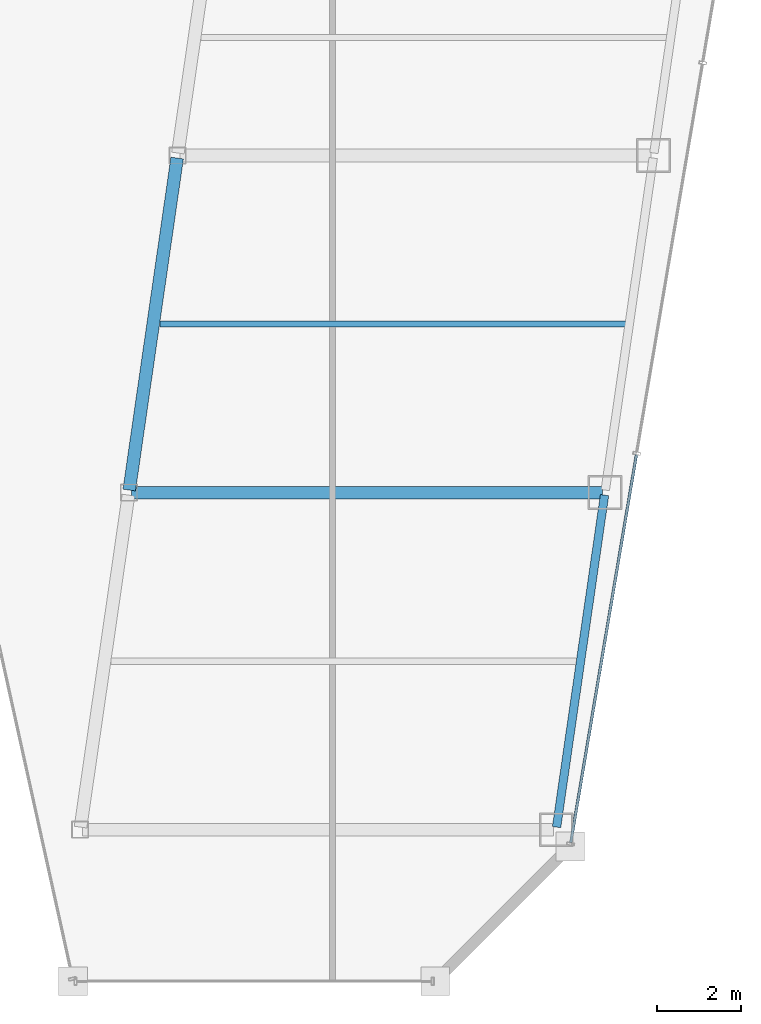
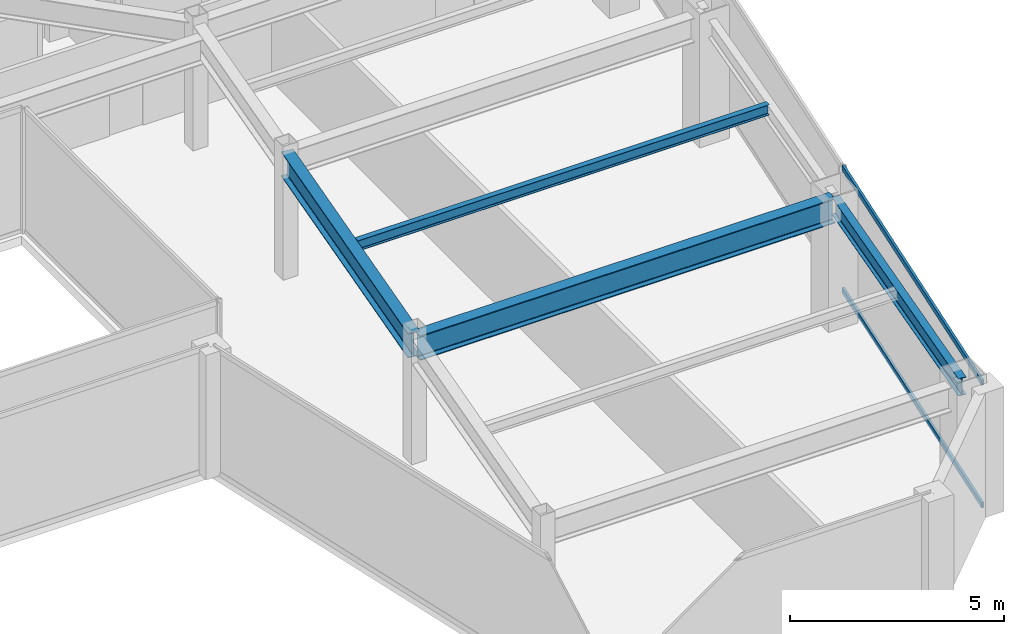
# One storey, part 19 of 35: 4 beams, 2 members, 1 element without a shape of its own.
"""IFC4 building model written with IfcOpenShell, lengths in metres."""

from ifc_helpers import new_model, si_unit, direction, frame, origin, origin_2d, place, context, subcontext, project, spatial, hollow_rectangle, i_section, extrude, material, material_profile, profile_set, type_object, element, aggregate, save


model = new_model("IFC4")

# Units and contexts
model_context = context("Model", 3, precision=1e-05, world=origin(), true_north=direction((0.0, 1.0)))
body_context = subcontext(model_context, "Body", "Model", "MODEL_VIEW")
ifc_project = project(units=[si_unit("LENGTHUNIT", "METRE"), si_unit("AREAUNIT", "SQUARE_METRE"), si_unit("VOLUMEUNIT", "CUBIC_METRE"), si_unit("PLANEANGLEUNIT", "RADIAN"), si_unit("MASSUNIT", "GRAM", prefix="KILO")], contexts=[model_context])

# Site, building, storey
site_placement = place(None, origin())
site = spatial("IfcSite", under=ifc_project, at=site_placement, CompositionType="ELEMENT")
building_placement = place(site_placement, origin())
building = spatial("IfcBuilding", under=site, at=building_placement, Name="Saevonmaru Cultural Tower", CompositionType="ELEMENT")
storey_placement = place(building_placement, frame((0.0, 0.0, 217.0)))
storey = spatial("IfcBuildingStorey", under=building, at=storey_placement, Name="L50", CompositionType="ELEMENT", Elevation=217.0)

# Beams
ifc_material_1 = material(Name="Steel SM355", Category="steel")
ifc_material_profile_1 = material_profile(ifc_material_1, i_section(OverallWidth=0.300048828125, OverallDepth=0.699951171875, WebThickness=0.012939453125, FlangeThickness=0.02392578125, FilletRadius=0.02587890625, at=origin_2d()), Name="H-700x300x13x24")
ifc_profile_set_1 = profile_set([ifc_material_profile_1], Name="Steel SM355")
beam_type_1 = type_object("IfcBeamType", Name="BM-G-H700", PredefinedType="BEAM", material=ifc_profile_set_1)
beam_1_placement = place(storey_placement, frame((39.236572265625, 24.059326171875, 3.199951171875), z_axis=(0.142902032203, 0.989736838353, 0.0), x_axis=(-0.989736838353, 0.142902032203, 0.0)))
element("IfcBeam", 1, at=beam_1_placement, inside=storey, type_object=beam_type_1, Name="L50 East Atrium Girder 2", PredefinedType="BEAM", context=body_context, shape_type="SweptSolid", body=[
    extrude(i_section(OverallWidth=0.300048828125, OverallDepth=0.699951171875, WebThickness=0.012939453125, FlangeThickness=0.02392578125, FilletRadius=0.02587890625, at=origin_2d()), origin(), (0.0, 0.0, 1.0), 7.963134765625),
])
beam_2_placement = place(storey_placement, frame((39.2880859375, 24.0, 3.199951171875), z_axis=(1.0, 0.0, 0.0), x_axis=(0.0, 1.0, 0.0)))
element("IfcBeam", 2, at=beam_2_placement, inside=storey, type_object=beam_type_1, Name="L50 East Wing Transverse Girder 2", PredefinedType="BEAM", context=body_context, shape_type="SweptSolid", body=[
    extrude(i_section(OverallWidth=0.300048828125, OverallDepth=0.699951171875, WebThickness=0.012939453125, FlangeThickness=0.02392578125, FilletRadius=0.02587890625, at=origin_2d()), origin(), (0.0, 0.0, 1.0), 11.179931640625),
])
ifc_material_profile_2 = material_profile(ifc_material_1, i_section(OverallWidth=0.14990234375, OverallDepth=0.300048828125, WebThickness=0.006591796875, FlangeThickness=0.009033203125, FilletRadius=0.012939453125, at=origin_2d()), Name="H-300x150x6.5x9")
ifc_profile_set_2 = profile_set([ifc_material_profile_2], Name="Steel SM355")
beam_type_2 = type_object("IfcBeamType", Name="BM-J-H300", PredefinedType="JOIST", material=ifc_profile_set_2)
beam_3_placement = place(storey_placement, frame((39.96337890625, 28.0, 3.39990234375), z_axis=(1.0, 0.0, 0.0), x_axis=(0.0, 1.0, 0.0)))
element("IfcBeam", 3, at=beam_3_placement, inside=storey, type_object=beam_type_2, Name="L50 East Wing Floor Joist 2", PredefinedType="JOIST", context=body_context, shape_type="SweptSolid", body=[
    extrude(i_section(OverallWidth=0.14990234375, OverallDepth=0.300048828125, WebThickness=0.006591796875, FlangeThickness=0.009033203125, FilletRadius=0.012939453125, at=origin_2d()), origin(), (0.0, 0.0, 1.0), 11.08203125),
])
ifc_material_profile_3 = material_profile(ifc_material_1, i_section(OverallWidth=0.199951171875, OverallDepth=0.5, WebThickness=0.010009765625, FlangeThickness=0.01611328125, FilletRadius=0.02001953125, at=origin_2d()), Name="H-500x200x10x16")
ifc_profile_set_3 = profile_set([ifc_material_profile_3], Name="Steel SM355")
beam_type_3 = type_object("IfcBeamType", Name="BM-SP-H500", PredefinedType="SPANDREL", material=ifc_profile_set_3)
beam_4_placement = place(storey_placement, frame((49.380615234375, 16.059326171875, 3.300048828125), z_axis=(0.142992129437, 0.989723825579, 0.0), x_axis=(-0.989723825579, 0.142992129437, 0.0)))
element("IfcBeam", 4, at=beam_4_placement, inside=storey, type_object=beam_type_3, Name="L50 East Splayed Spandrel 1", PredefinedType="SPANDREL", context=body_context, shape_type="SweptSolid", body=[
    extrude(i_section(OverallWidth=0.199951171875, OverallDepth=0.5, WebThickness=0.010009765625, FlangeThickness=0.01611328125, FilletRadius=0.02001953125, at=origin_2d()), origin(), (0.0, 0.0, 1.0), 7.963134765625),
])

# Curtain wall, members
ifc_material_2 = material(Name="Satin Bronze Anodised Aluminium", Category="aluminium")
curtain_wall_type = type_object("IfcCurtainWallType", Name="CW-TYP-B", PredefinedType="NOTDEFINED", material=ifc_material_2)
curtain_wall_placement = place(storey_placement, origin())
curtain_wall = element("IfcCurtainWall", 5, at=curtain_wall_placement, inside=storey, type_object=curtain_wall_type, Name="L50 Unitised Curtain Wall E8", PredefinedType="NOTDEFINED")
ifc_material_profile_4 = material_profile(ifc_material_2, hollow_rectangle(XDim=0.06494140625, YDim=0.14990234375, WallThickness=0.00390625, at=origin_2d()), Name="ALU-TRAN-150x65x4")
ifc_profile_set_4 = profile_set([ifc_material_profile_4], Name="Satin Bronze Anodised Aluminium")
member_type = type_object("IfcMemberType", Name="TR-CW-150x65", PredefinedType="USERDEFINED", material=ifc_profile_set_4)
member_1_placement = place(storey_placement, frame((49.717529296875, 15.691162109375, 0.032470703125), z_axis=(0.166921263871, 0.985970228591, 0.0), x_axis=(-0.985970228591, 0.166921263871, 0.0)))
member_1 = element("IfcMember", 6, at=member_1_placement, type_object=member_type, Name="CW-TW-L50-E8 transom 1.1", ObjectType="TRANSOM", PredefinedType="USERDEFINED", context=body_context, shape_type="SweptSolid", body=[
    extrude(hollow_rectangle(XDim=0.06494140625, YDim=0.14990234375, WallThickness=0.00390625, at=origin_2d()), origin(), (0.0, 0.0, 1.0), 9.33740234375),
])
member_2_placement = place(storey_placement, frame((49.717529296875, 15.691162109375, 3.517578125), z_axis=(0.166921263871, 0.985970228591, 0.0), x_axis=(-0.985970228591, 0.166921263871, 0.0)))
member_2 = element("IfcMember", 7, at=member_2_placement, type_object=member_type, Name="CW-TW-L50-E8 transom 1.2", ObjectType="TRANSOM", PredefinedType="USERDEFINED", context=body_context, shape_type="SweptSolid", body=[
    extrude(hollow_rectangle(XDim=0.06494140625, YDim=0.14990234375, WallThickness=0.00390625, at=origin_2d()), origin(), (0.0, 0.0, 1.0), 9.33740234375),
])
aggregate(curtain_wall, [member_1, member_2])

save(model, "model.ifc")
